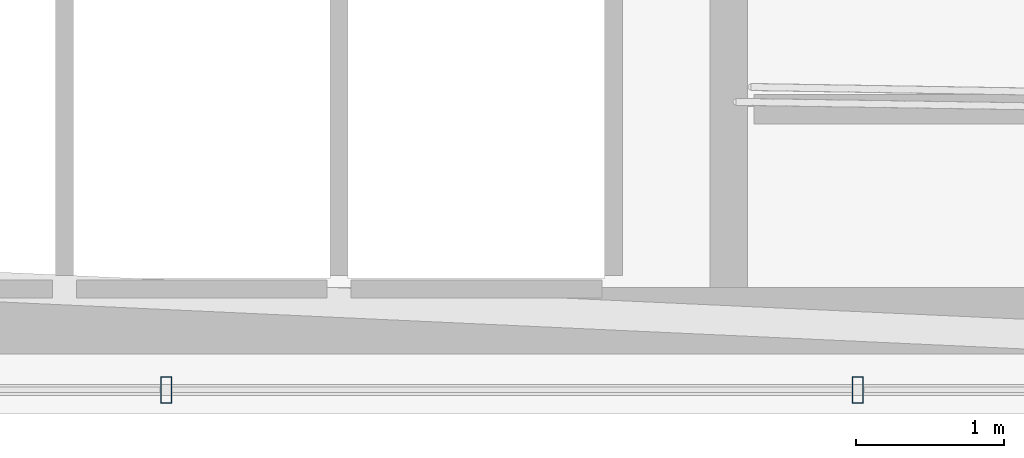
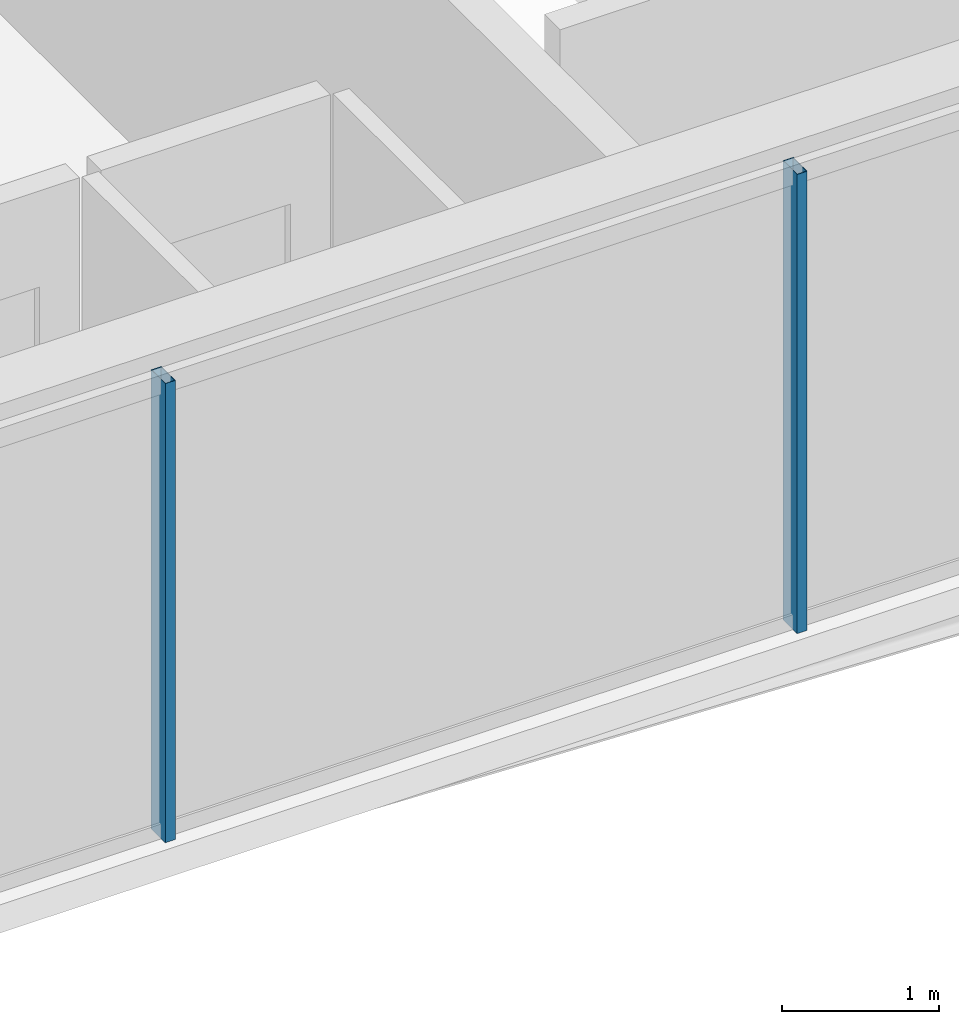
# One storey, part 7 of 33: 2 members, 1 element without a shape of its own.
"""IFC4 building model written with IfcOpenShell, lengths in metres."""

from ifc_helpers import new_model, si_unit, direction, frame, origin, origin_2d, place, context, subcontext, project, spatial, hollow_rectangle, extrude, material, layer, layer_set, material_profile, profile_set, type_object, element, aggregate, save


model = new_model("IFC4")

# Units and contexts
model_context = context("Model", 3, precision=1e-05, world=origin(), true_north=direction((0.0, 1.0)))
body_context = subcontext(model_context, "Body", "Model", "MODEL_VIEW")
ifc_project = project(units=[si_unit("LENGTHUNIT", "METRE"), si_unit("AREAUNIT", "SQUARE_METRE"), si_unit("VOLUMEUNIT", "CUBIC_METRE"), si_unit("PLANEANGLEUNIT", "RADIAN"), si_unit("MASSUNIT", "GRAM", prefix="KILO")], contexts=[model_context])

# Site, building, storey
site_placement = place(None, origin())
site = spatial("IfcSite", under=ifc_project, at=site_placement, CompositionType="ELEMENT")
building_placement = place(site_placement, origin())
building = spatial("IfcBuilding", under=site, at=building_placement, Name="Ndaravel Arena Tower", CompositionType="ELEMENT")
storey_placement = place(building_placement, frame((0.0, 0.0, 85.39990234375)))
storey = spatial("IfcBuildingStorey", under=building, at=storey_placement, Name="L19", CompositionType="ELEMENT", Elevation=85.39990234375)

# Curtain wall, members
ifc_material_1 = material(Name="Aluminium", Category="aluminium")
ifc_layer = layer(ifc_material_1, 0.179931640625)
ifc_layer_set = layer_set([ifc_layer], Name="Aluminium")
curtain_wall_type = type_object("IfcCurtainWallType", Name="CW-SYS-03", PredefinedType="NOTDEFINED", material=ifc_layer_set)
curtain_wall_placement = place(storey_placement, origin())
curtain_wall = element("IfcCurtainWall", 1, at=curtain_wall_placement, inside=storey, type_object=curtain_wall_type, Name="L19 Faceted Crystal Curtain Wall CW-L19-E01", PredefinedType="NOTDEFINED")
ifc_material_2 = material(Name="Aluminium", Category="aluminium")
ifc_material_profile = material_profile(ifc_material_2, hollow_rectangle(XDim=0.074951171875, YDim=0.179931640625, WallThickness=0.00390625, at=origin_2d()), Name="CW MULLION 75x180x4")
ifc_profile_set = profile_set([ifc_material_profile], Name="Aluminium")
member_type = type_object("IfcMemberType", Name="MEM-CW-MUL180", PredefinedType="MULLION", material=ifc_profile_set)
member_1_placement = place(storey_placement, frame((35.010498046875, 5.159912109375, 0.0), z_axis=(0.0, 0.0, 1.0), x_axis=(1.0, 0.0, 0.0)))
member_1 = element("IfcMember", 2, at=member_1_placement, type_object=member_type, Name="CW-L19-E01 Mullion 02", PredefinedType="MULLION", context=body_context, shape_type="SweptSolid", body=[
    extrude(hollow_rectangle(XDim=0.074951171875, YDim=0.179931640625, WallThickness=0.00390625, at=origin_2d()), origin(), (0.0, 0.0, 1.0), 3.580078125),
])
member_2_placement = place(storey_placement, frame((39.670166015625, 5.159912109375, 0.0), z_axis=(0.0, 0.0, 1.0), x_axis=(1.0, 0.0, 0.0)))
member_2 = element("IfcMember", 3, at=member_2_placement, type_object=member_type, Name="CW-L19-E01 Mullion 03", PredefinedType="MULLION", context=body_context, shape_type="SweptSolid", body=[
    extrude(hollow_rectangle(XDim=0.074951171875, YDim=0.179931640625, WallThickness=0.00390625, at=origin_2d()), origin(), (0.0, 0.0, 1.0), 3.580078125),
])
aggregate(curtain_wall, [member_1, member_2])

save(model, "model.ifc")
